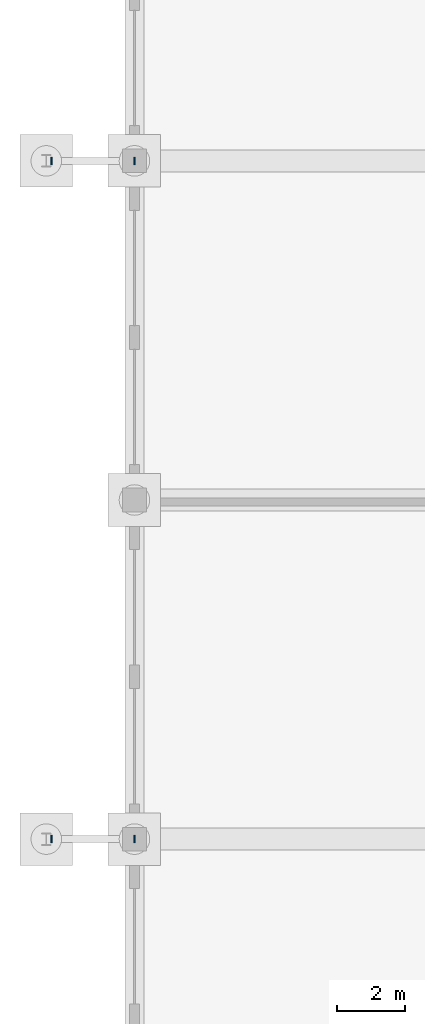
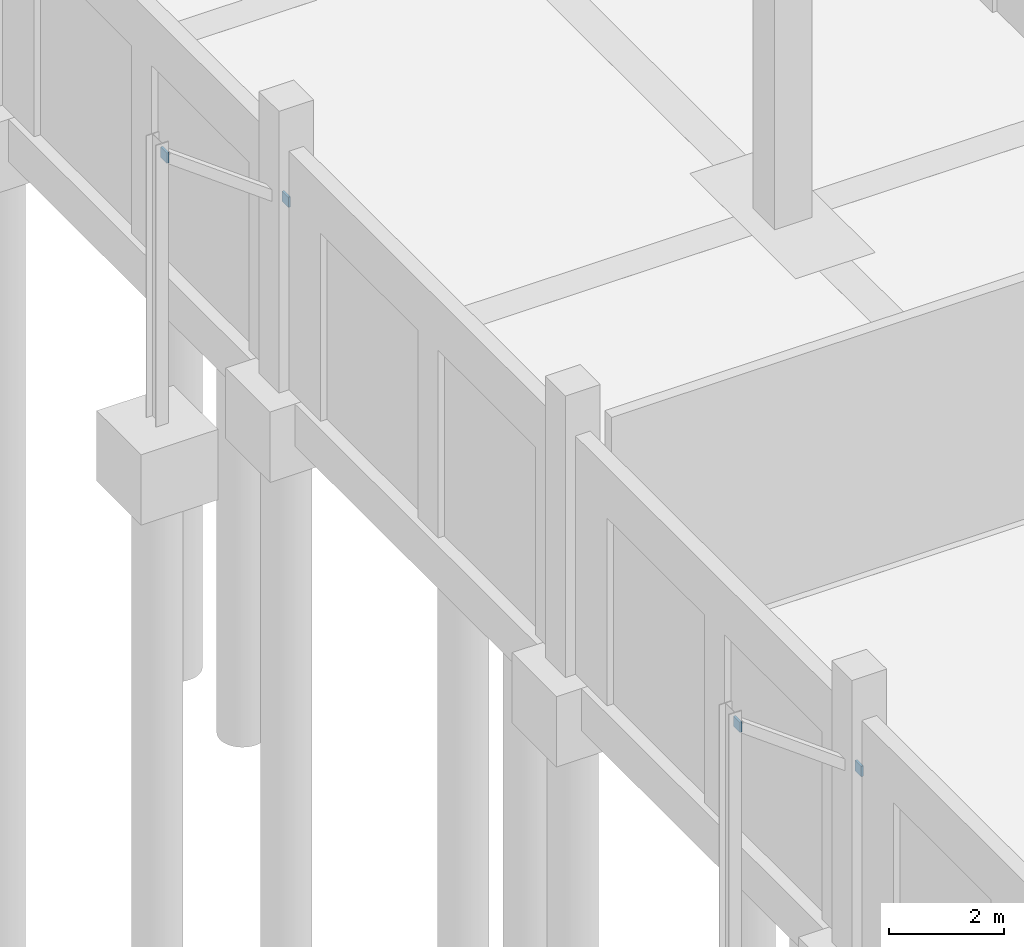
# One storey, part 75 of 140: 4 plates.
"""IFC4 building model written with IfcOpenShell, lengths in metres."""

from ifc_helpers import new_model, si_unit, direction, frame, origin, origin_2d, place, context, subcontext, project, spatial, rectangle, extrude, material, layer, layer_set, type_object, element, save


model = new_model("IFC4")

# Units and contexts
model_context = context("Model", 3, precision=1e-05, world=origin(), true_north=direction((0.0, 1.0)))
body_context = subcontext(model_context, "Body", "Model", "MODEL_VIEW")
ifc_project = project(units=[si_unit("LENGTHUNIT", "METRE"), si_unit("AREAUNIT", "SQUARE_METRE"), si_unit("VOLUMEUNIT", "CUBIC_METRE"), si_unit("PLANEANGLEUNIT", "RADIAN"), si_unit("MASSUNIT", "GRAM", prefix="KILO")], contexts=[model_context])

# Site, building, storey
site_placement = place(None, origin())
site = spatial("IfcSite", under=ifc_project, at=site_placement, CompositionType="ELEMENT")
building_placement = place(site_placement, origin())
building = spatial("IfcBuilding", under=site, at=building_placement, Name="Corvandel Quay Wholesale Market", CompositionType="ELEMENT")
storey_placement = place(building_placement, origin())
storey = spatial("IfcBuildingStorey", under=building, at=storey_placement, Name="L00", CompositionType="ELEMENT", Elevation=0.0)

# Plates
ifc_material = material(Name="Steel A572 Grade 50", Category="steel")
ifc_layer = layer(ifc_material, 0.044921875)
ifc_layer_set = layer_set([ifc_layer], Name="Steel A572 Grade 50")
plate_type = type_object("IfcPlateType", Name="Steel Brace End Cap Plate PLT02 45mm", PredefinedType="SHEET", material=ifc_layer_set)
for number, where, z_axis, x_axis, name in (
    (1, (-0.001708984375, 50.0, 3.69140625), (0.0, 0.0, 1.0), (0.0, 1.0, 0.0), "HSS Cap Plate PLT-0115"),
    (2, (-2.448486328125, 50.0, 5.48876953125), (0.0, 0.0, 1.0), (0.0, 1.0, 0.0), "HSS Cap Plate PLT-0116"),
    (3, (-0.001708984375, 70.0, 3.69140625), (0.0, 0.0, 1.0), (0.0, 1.0, 0.0), "HSS Cap Plate PLT-0117"),
    (4, (-2.448486328125, 70.0, 5.48876953125), (0.0, 0.0, 1.0), (0.0, 1.0, 0.0), "HSS Cap Plate PLT-0118"),
):
    element("IfcPlate", number, at=place(storey_placement, frame(where, z_axis=z_axis, x_axis=x_axis)), inside=storey, type_object=plate_type, Name=name, PredefinedType="SHEET", context=body_context, shape_type="SweptSolid", body=[
        extrude(rectangle(XDim=0.219970703125, YDim=0.044921875, at=origin_2d()), origin(), (0.0, 0.0, 1.0), 0.219970703125),
    ])

save(model, "model.ifc")
